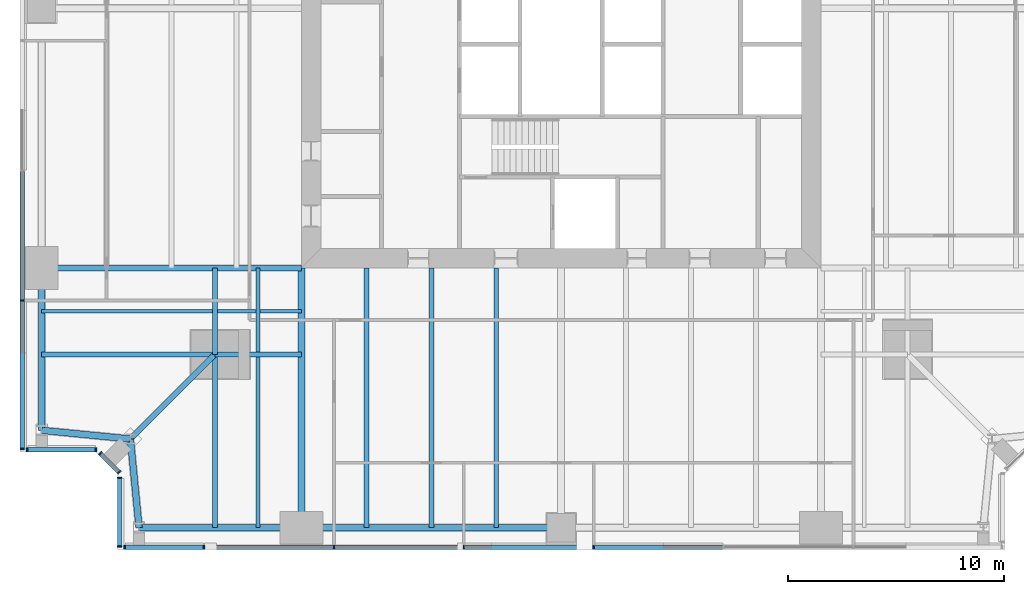
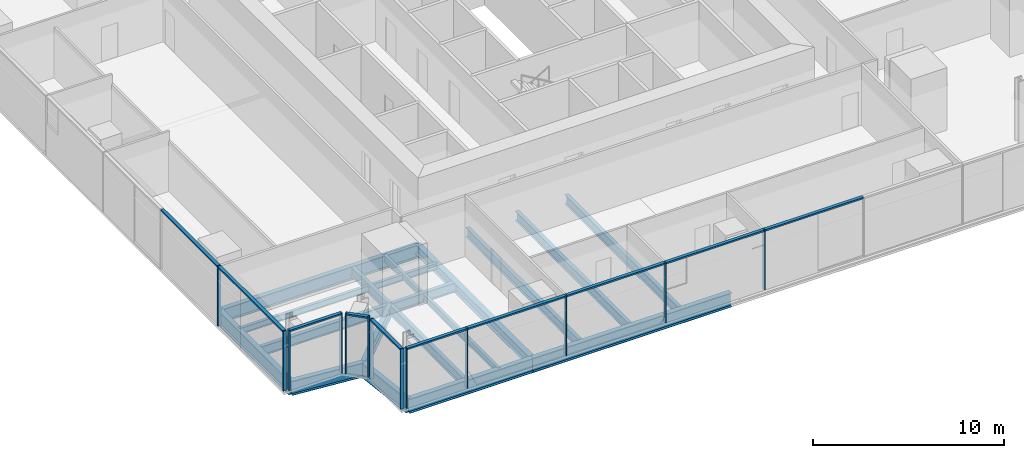
# One storey, part 2 of 13: 23 members, 20 beams, 5 elements without a shape of their own.
"""IFC4 building model written with IfcOpenShell, lengths in metres."""

from ifc_helpers import new_model, si_unit, direction, frame, origin, origin_2d, place, context, subcontext, project, spatial, rectangle, i_section, extrude, material, material_profile, profile_set, type_object, element, aggregate, save


model = new_model("IFC4")

# Units and contexts
model_context = context("Model", 3, precision=1e-05, world=origin(), true_north=direction((0.0, 1.0)))
body_context = subcontext(model_context, "Body", "Model", "MODEL_VIEW")
ifc_project = project(units=[si_unit("LENGTHUNIT", "METRE"), si_unit("AREAUNIT", "SQUARE_METRE"), si_unit("VOLUMEUNIT", "CUBIC_METRE"), si_unit("PLANEANGLEUNIT", "RADIAN"), si_unit("MASSUNIT", "GRAM", prefix="KILO")], contexts=[model_context])

# Site, building, storey
site_placement = place(None, origin())
site = spatial("IfcSite", under=ifc_project, at=site_placement, CompositionType="ELEMENT")
building_placement = place(site_placement, origin())
building = spatial("IfcBuilding", under=site, at=building_placement, Name="Fenwick Lantern Interchange", CompositionType="ELEMENT")
storey_placement = place(building_placement, frame((0.0, 0.0, 142.39990234375)))
storey = spatial("IfcBuildingStorey", under=building, at=storey_placement, Name="L33", CompositionType="ELEMENT", Elevation=142.39990234375)

# Beams
ifc_material_1 = material(Name="Steel ASTM A992 Grade 50", Category="steel")
ifc_material_profile_1 = material_profile(ifc_material_1, i_section(OverallWidth=0.3046875, OverallDepth=0.911865234375, WebThickness=0.015869140625, FlangeThickness=0.02392578125, at=origin_2d()), Name="W36X150")
ifc_profile_set_1 = profile_set([ifc_material_profile_1], Name="Steel ASTM A992 Grade 50")
beam_type_1 = type_object("IfcBeamType", Name="EDGE BEAM W36X150", PredefinedType="SPANDREL", material=ifc_profile_set_1)
beam_1_placement = place(storey_placement, frame((5.5, 1.0, -0.605712890625), z_axis=(1.0, 0.0, 0.0), x_axis=(0.0, 1.0, 0.0)))
element("IfcBeam", 1, at=beam_1_placement, inside=storey, type_object=beam_type_1, Name="L33/FR/S/EB1", PredefinedType="SPANDREL", context=body_context, shape_type="SweptSolid", body=[
    extrude(i_section(OverallWidth=0.3046875, OverallDepth=0.911865234375, WebThickness=0.015869140625, FlangeThickness=0.02392578125, at=origin_2d()), origin(), (0.0, 0.0, 1.0), 7.5),
])
beam_2_placement = place(storey_placement, frame((13.0, 1.0, -0.605712890625), z_axis=(1.0, 0.0, 0.0), x_axis=(0.0, 1.0, 0.0)))
element("IfcBeam", 2, at=beam_2_placement, inside=storey, type_object=beam_type_1, Name="L33/FR/S/EB2", PredefinedType="SPANDREL", context=body_context, shape_type="SweptSolid", body=[
    extrude(i_section(OverallWidth=0.3046875, OverallDepth=0.911865234375, WebThickness=0.015869140625, FlangeThickness=0.02392578125, at=origin_2d()), origin(), (0.0, 0.0, 1.0), 12.0),
])
beam_3_placement = place(storey_placement, frame((1.0, 13.0, -0.605712890625), z_axis=(0.0, -1.0, 0.0), x_axis=(1.0, 0.0, 0.0)))
element("IfcBeam", 3, at=beam_3_placement, inside=storey, type_object=beam_type_1, Name="L33/FR/W/EB4", PredefinedType="SPANDREL", context=body_context, shape_type="SweptSolid", body=[
    extrude(i_section(OverallWidth=0.3046875, OverallDepth=0.911865234375, WebThickness=0.015869140625, FlangeThickness=0.02392578125, at=origin_2d()), origin(), (0.0, 0.0, 1.0), 7.5),
])
for number, where, z_axis, x_axis, name in (
    (4, (1.0, 5.5, -0.605712890625), (0.995277148028, -0.097074191287, 0.0), (0.097074191287, 0.995277148028, 0.0), "L33/FR/W/EBR1"),
    (5, (5.10009765625, 5.10009765625, -0.605712890625), (0.097074191287, -0.995277148028, 0.0), (0.995277148028, 0.097074191287, 0.0), "L33/FR/W/EBR2"),
):
    element("IfcBeam", number, at=place(storey_placement, frame(where, z_axis=z_axis, x_axis=x_axis)), inside=storey, type_object=beam_type_1, Name=name, PredefinedType="SPANDREL", context=body_context, shape_type="SweptSolid", body=[
        extrude(i_section(OverallWidth=0.3046875, OverallDepth=0.911865234375, WebThickness=0.015869140625, FlangeThickness=0.02392578125, at=origin_2d()), origin(), (0.0, 0.0, 1.0), 4.11962890625),
    ])
ifc_material_profile_2 = material_profile(ifc_material_1, i_section(OverallWidth=0.22900390625, OverallDepth=0.612060546875, WebThickness=0.011962890625, FlangeThickness=0.01953125, at=origin_2d()), Name="W24X84")
ifc_profile_set_2 = profile_set([ifc_material_profile_2], Name="Steel ASTM A992 Grade 50")
beam_type_2 = type_object("IfcBeamType", Name="FLOOR BEAM W24X84", PredefinedType="BEAM", material=ifc_profile_set_2)
for number, where, z_axis, x_axis, name in (
    (6, (16.0, 1.0, -0.4560546875), (0.0, 1.0, 0.0), (-1.0, 0.0, 0.0), "L33/FR/S/R02"),
    (7, (19.0, 1.0, -0.4560546875), (0.0, 1.0, 0.0), (-1.0, 0.0, 0.0), "L33/FR/S/R03"),
    (8, (22.0, 1.0, -0.4560546875), (0.0, 1.0, 0.0), (-1.0, 0.0, 0.0), "L33/FR/S/R04"),
):
    element("IfcBeam", number, at=place(storey_placement, frame(where, z_axis=z_axis, x_axis=x_axis)), inside=storey, type_object=beam_type_2, Name=name, PredefinedType="BEAM", context=body_context, shape_type="SweptSolid", body=[
        extrude(i_section(OverallWidth=0.22900390625, OverallDepth=0.612060546875, WebThickness=0.011962890625, FlangeThickness=0.01953125, at=origin_2d()), origin(), (0.0, 0.0, 1.0), 12.0),
    ])
ifc_material_profile_3 = material_profile(ifc_material_1, i_section(OverallWidth=0.177734375, OverallDepth=0.406494140625, WebThickness=0.0078125, FlangeThickness=0.012939453125, at=origin_2d()), Name="W16X40")
ifc_profile_set_3 = profile_set([ifc_material_profile_3], Name="Steel ASTM A992 Grade 50")
beam_type_3 = type_object("IfcBeamType", Name="INFILL BEAM W16X40", PredefinedType="JOIST", material=ifc_profile_set_3)
beam_4_placement = place(storey_placement, frame((11.0, 1.0, -0.35302734375), z_axis=(0.0, 1.0, 0.0), x_axis=(-1.0, 0.0, 0.0)))
element("IfcBeam", 9, at=beam_4_placement, inside=storey, type_object=beam_type_3, Name="L33/FR/S/J1", PredefinedType="JOIST", context=body_context, shape_type="SweptSolid", body=[
    extrude(i_section(OverallWidth=0.177734375, OverallDepth=0.406494140625, WebThickness=0.0078125, FlangeThickness=0.012939453125, at=origin_2d()), origin(), (0.0, 0.0, 1.0), 7.885498046875),
])
beam_5_placement = place(storey_placement, frame((11.0, 9.114501953125, -0.35302734375), z_axis=(0.0, 1.0, 0.0), x_axis=(-1.0, 0.0, 0.0)))
element("IfcBeam", 10, at=beam_5_placement, inside=storey, type_object=beam_type_3, Name="L33/FR/S/J2", PredefinedType="JOIST", context=body_context, shape_type="SweptSolid", body=[
    extrude(i_section(OverallWidth=0.177734375, OverallDepth=0.406494140625, WebThickness=0.0078125, FlangeThickness=0.012939453125, at=origin_2d()), origin(), (0.0, 0.0, 1.0), 3.885498046875),
])
beam_6_placement = place(storey_placement, frame((1.0, 11.0, -0.35302734375), z_axis=(1.0, 0.0, 0.0), x_axis=(0.0, 1.0, 0.0)))
element("IfcBeam", 11, at=beam_6_placement, inside=storey, type_object=beam_type_3, Name="L33/FR/S/J3", PredefinedType="JOIST", context=body_context, shape_type="SweptSolid", body=[
    extrude(i_section(OverallWidth=0.177734375, OverallDepth=0.406494140625, WebThickness=0.0078125, FlangeThickness=0.012939453125, at=origin_2d()), origin(), (0.0, 0.0, 1.0), 7.885498046875),
])
beam_7_placement = place(storey_placement, frame((9.114501953125, 11.0, -0.35302734375), z_axis=(1.0, 0.0, 0.0), x_axis=(0.0, 1.0, 0.0)))
element("IfcBeam", 12, at=beam_7_placement, inside=storey, type_object=beam_type_3, Name="L33/FR/S/J4", PredefinedType="JOIST", context=body_context, shape_type="SweptSolid", body=[
    extrude(i_section(OverallWidth=0.177734375, OverallDepth=0.406494140625, WebThickness=0.0078125, FlangeThickness=0.012939453125, at=origin_2d()), origin(), (0.0, 0.0, 1.0), 1.796630859375),
])
beam_8_placement = place(storey_placement, frame((11.0888671875, 11.0, -0.35302734375), z_axis=(1.0, 0.0, 0.0), x_axis=(0.0, 1.0, 0.0)))
element("IfcBeam", 13, at=beam_8_placement, inside=storey, type_object=beam_type_3, Name="L33/FR/S/J5", PredefinedType="JOIST", context=body_context, shape_type="SweptSolid", body=[
    extrude(i_section(OverallWidth=0.177734375, OverallDepth=0.406494140625, WebThickness=0.0078125, FlangeThickness=0.012939453125, at=origin_2d()), origin(), (0.0, 0.0, 1.0), 1.9111328125),
])
ifc_material_profile_4 = material_profile(ifc_material_1, i_section(OverallWidth=0.22900390625, OverallDepth=0.612060546875, WebThickness=0.011962890625, FlangeThickness=0.01953125, at=origin_2d()), Name="W24X84")
ifc_profile_set_4 = profile_set([ifc_material_profile_4], Name="Steel ASTM A992 Grade 50")
beam_type_4 = type_object("IfcBeamType", Name="MEGA COLUMN BEAM W24X84", PredefinedType="BEAM", material=ifc_profile_set_4)
for number, where, z_axis, x_axis, name in (
    (14, (9.0, 9.0, -0.4560546875), (0.0, -1.0, 0.0), (1.0, 0.0, 0.0), "L33/FR/S/MB1"),
    (15, (9.0, 9.0, -0.4560546875), (-1.0, 0.0, 0.0), (0.0, -1.0, 0.0), "L33/FR/S/MB2"),
):
    element("IfcBeam", number, at=place(storey_placement, frame(where, z_axis=z_axis, x_axis=x_axis)), inside=storey, type_object=beam_type_4, Name=name, PredefinedType="BEAM", context=body_context, shape_type="SweptSolid", body=[
        extrude(i_section(OverallWidth=0.22900390625, OverallDepth=0.612060546875, WebThickness=0.011962890625, FlangeThickness=0.01953125, at=origin_2d()), origin(), (0.0, 0.0, 1.0), 8.0),
    ])
for number, where, z_axis, x_axis, name in (
    (16, (9.0, 9.0, -0.4560546875), (1.0, 0.0, 0.0), (0.0, 1.0, 0.0), "L33/FR/S/MB3"),
    (17, (9.0, 9.0, -0.4560546875), (0.0, 1.0, 0.0), (-1.0, 0.0, 0.0), "L33/FR/S/MB4"),
):
    element("IfcBeam", number, at=place(storey_placement, frame(where, z_axis=z_axis, x_axis=x_axis)), inside=storey, type_object=beam_type_4, Name=name, PredefinedType="BEAM", context=body_context, shape_type="SweptSolid", body=[
        extrude(i_section(OverallWidth=0.22900390625, OverallDepth=0.612060546875, WebThickness=0.011962890625, FlangeThickness=0.01953125, at=origin_2d()), origin(), (0.0, 0.0, 1.0), 4.0),
    ])
ifc_material_profile_5 = material_profile(ifc_material_1, i_section(OverallWidth=0.32763671875, OverallDepth=0.622314453125, WebThickness=0.015380859375, FlangeThickness=0.0244140625, at=origin_2d()), Name="W24X131")
ifc_profile_set_5 = profile_set([ifc_material_profile_5], Name="Steel ASTM A992 Grade 50")
beam_type_5 = type_object("IfcBeamType", Name="MOMENT-CONNECTED GIRDER W24X131", PredefinedType="BEAM", material=ifc_profile_set_5)
beam_9_placement = place(storey_placement, frame((13.0, 1.0, -0.4609375), z_axis=(0.0, 1.0, 0.0), x_axis=(-1.0, 0.0, 0.0)))
element("IfcBeam", 18, at=beam_9_placement, inside=storey, type_object=beam_type_5, Name="L33/FR/S/R01", PredefinedType="BEAM", context=body_context, shape_type="SweptSolid", body=[
    extrude(i_section(OverallWidth=0.32763671875, OverallDepth=0.622314453125, WebThickness=0.015380859375, FlangeThickness=0.0244140625, at=origin_2d()), origin(), (0.0, 0.0, 1.0), 12.0),
])
ifc_material_profile_6 = material_profile(ifc_material_1, i_section(OverallWidth=0.2919921875, OverallDepth=0.845703125, WebThickness=0.015380859375, FlangeThickness=0.0244140625, at=origin_2d()), Name="W33X141")
ifc_profile_set_6 = profile_set([ifc_material_profile_6], Name="Steel ASTM A992 Grade 50")
beam_type_6 = type_object("IfcBeamType", Name="MOMENT-CONNECTED GIRDER W33X141", PredefinedType="BEAM", material=ifc_profile_set_6)
beam_10_placement = place(storey_placement, frame((1.0, 13.0, -0.57275390625), z_axis=(1.0, 0.0, 0.0), x_axis=(0.0, 1.0, 0.0)))
element("IfcBeam", 19, at=beam_10_placement, inside=storey, type_object=beam_type_6, Name="L33/FR/W/R03", PredefinedType="BEAM", context=body_context, shape_type="SweptSolid", body=[
    extrude(i_section(OverallWidth=0.2919921875, OverallDepth=0.845703125, WebThickness=0.015380859375, FlangeThickness=0.0244140625, at=origin_2d()), origin(), (0.0, 0.0, 1.0), 12.0),
])
ifc_material_profile_7 = material_profile(ifc_material_1, i_section(OverallWidth=0.2666015625, OverallDepth=0.7568359375, WebThickness=0.013916015625, FlangeThickness=0.019287109375, at=origin_2d()), Name="W30X108")
ifc_profile_set_7 = profile_set([ifc_material_profile_7], Name="Steel ASTM A992 Grade 50")
beam_type_7 = type_object("IfcBeamType", Name="NOTCH BEAM W30X108", PredefinedType="BEAM", material=ifc_profile_set_7)
beam_11_placement = place(storey_placement, frame((9.0, 9.0, -0.5283203125), z_axis=(-0.707106781187, -0.707106781187, 0.0), x_axis=(0.707106781187, -0.707106781187, 0.0)))
element("IfcBeam", 20, at=beam_11_placement, inside=storey, type_object=beam_type_7, Name="L33/FR/S/TG", PredefinedType="BEAM", context=body_context, shape_type="SweptSolid", body=[
    extrude(i_section(OverallWidth=0.2666015625, OverallDepth=0.7568359375, WebThickness=0.013916015625, FlangeThickness=0.019287109375, at=origin_2d()), origin(), (0.0, 0.0, 1.0), 5.515380859375),
])

# Curtain wall, members
ifc_material_2 = material(Name="Aluminium curtain wall frame", Category="aluminium")
curtain_wall_type = type_object("IfcCurtainWallType", Name="OFFICE CURTAIN WALL", PredefinedType="USERDEFINED", material=ifc_material_2)
curtain_wall_1_placement = place(storey_placement, origin())
curtain_wall_1 = element("IfcCurtainWall", 21, at=curtain_wall_1_placement, inside=storey, type_object=curtain_wall_type, Name="Office curtain wall 01", ObjectType="OFFICE CURTAIN WALL", PredefinedType="USERDEFINED")
ifc_material_3 = material(Name="Aluminium extrusion", Category="aluminium")
ifc_material_profile_8 = material_profile(ifc_material_3, rectangle(XDim=0.199951171875, YDim=0.06494140625, at=origin_2d()), Name="OFFICE CURTAIN WALL MULLION 65 X 200")
ifc_profile_set_8 = profile_set([ifc_material_profile_8], Name="Aluminium extrusion")
member_type_1 = type_object("IfcMemberType", Name="OFFICE CURTAIN WALL MULLION 65 X 200", PredefinedType="MULLION", material=ifc_profile_set_8)
member_1_placement = place(storey_placement, frame((4.83251953125, 0.10009765625, 0.0), z_axis=(0.0, 0.0, 1.0), x_axis=(0.0, 1.0, 0.0)))
member_1 = element("IfcMember", 22, at=member_1_placement, type_object=member_type_1, Name="L33/CW/01/M00", PredefinedType="MULLION", context=body_context, shape_type="SweptSolid", body=[
    extrude(rectangle(XDim=0.199951171875, YDim=0.06494140625, at=origin_2d()), origin(), (0.0, 0.0, 1.0), 3.85009765625),
])
member_2_placement = place(storey_placement, frame((8.5, 0.10009765625, 0.0), z_axis=(0.0, 0.0, 1.0), x_axis=(0.0, 1.0, 0.0)))
member_2 = element("IfcMember", 23, at=member_2_placement, type_object=member_type_1, Name="L33/CW/01/M01", PredefinedType="MULLION", context=body_context, shape_type="SweptSolid", body=[
    extrude(rectangle(XDim=0.199951171875, YDim=0.06494140625, at=origin_2d()), origin(), (0.0, 0.0, 1.0), 3.85009765625),
])
member_3_placement = place(storey_placement, frame((14.5, 0.10009765625, 0.0), z_axis=(0.0, 0.0, 1.0), x_axis=(0.0, 1.0, 0.0)))
member_3 = element("IfcMember", 24, at=member_3_placement, type_object=member_type_1, Name="L33/CW/01/M02", PredefinedType="MULLION", context=body_context, shape_type="SweptSolid", body=[
    extrude(rectangle(XDim=0.199951171875, YDim=0.06494140625, at=origin_2d()), origin(), (0.0, 0.0, 1.0), 3.85009765625),
])
member_4_placement = place(storey_placement, frame((20.5, 0.10009765625, 0.0), z_axis=(0.0, 0.0, 1.0), x_axis=(0.0, 1.0, 0.0)))
member_4 = element("IfcMember", 25, at=member_4_placement, type_object=member_type_1, Name="L33/CW/01/M03", PredefinedType="MULLION", context=body_context, shape_type="SweptSolid", body=[
    extrude(rectangle(XDim=0.199951171875, YDim=0.06494140625, at=origin_2d()), origin(), (0.0, 0.0, 1.0), 3.85009765625),
])
member_5_placement = place(storey_placement, frame((26.5, 0.10009765625, 0.0), z_axis=(0.0, 0.0, 1.0), x_axis=(0.0, 1.0, 0.0)))
member_5 = element("IfcMember", 26, at=member_5_placement, type_object=member_type_1, Name="L33/CW/01/M04", PredefinedType="MULLION", context=body_context, shape_type="SweptSolid", body=[
    extrude(rectangle(XDim=0.199951171875, YDim=0.06494140625, at=origin_2d()), origin(), (0.0, 0.0, 1.0), 3.85009765625),
])

curtain_wall_2_placement = place(storey_placement, origin())
curtain_wall_2 = element("IfcCurtainWall", 27, at=curtain_wall_2_placement, inside=storey, type_object=curtain_wall_type, Name="Office curtain wall 13", ObjectType="OFFICE CURTAIN WALL", PredefinedType="USERDEFINED")
member_6_placement = place(storey_placement, frame((0.10009765625, 11.5, 0.0), z_axis=(0.0, 0.0, 1.0), x_axis=(1.0, 0.0, 0.0)))
member_6 = element("IfcMember", 28, at=member_6_placement, type_object=member_type_1, Name="L33/CW/13/M06", PredefinedType="MULLION", context=body_context, shape_type="SweptSolid", body=[
    extrude(rectangle(XDim=0.199951171875, YDim=0.06494140625, at=origin_2d()), origin(), (0.0, 0.0, 1.0), 3.85009765625),
])
member_7_placement = place(storey_placement, frame((0.10009765625, 4.632568359375, 0.0), z_axis=(0.0, 0.0, 1.0), x_axis=(1.0, 0.0, 0.0)))
member_7 = element("IfcMember", 29, at=member_7_placement, type_object=member_type_1, Name="L33/CW/13/M07", PredefinedType="MULLION", context=body_context, shape_type="SweptSolid", body=[
    extrude(rectangle(XDim=0.199951171875, YDim=0.06494140625, at=origin_2d()), origin(), (0.0, 0.0, 1.0), 3.85009765625),
])

curtain_wall_3_placement = place(storey_placement, origin())
curtain_wall_3 = element("IfcCurtainWall", 30, at=curtain_wall_3_placement, inside=storey, type_object=curtain_wall_type, Name="Office curtain wall 14", ObjectType="OFFICE CURTAIN WALL", PredefinedType="USERDEFINED")
member_8_placement = place(storey_placement, frame((0.33251953125, 4.60009765625, 0.0), z_axis=(0.0, 0.0, 1.0), x_axis=(0.0, 1.0, 0.0)))
member_8 = element("IfcMember", 31, at=member_8_placement, type_object=member_type_1, Name="L33/CW/14/M00", PredefinedType="MULLION", context=body_context, shape_type="SweptSolid", body=[
    extrude(rectangle(XDim=0.199951171875, YDim=0.06494140625, at=origin_2d()), origin(), (0.0, 0.0, 1.0), 3.85009765625),
])
member_9_placement = place(storey_placement, frame((3.509033203125, 4.60009765625, 0.0), z_axis=(0.0, 0.0, 1.0), x_axis=(0.0, 1.0, 0.0)))
member_9 = element("IfcMember", 32, at=member_9_placement, type_object=member_type_1, Name="L33/CW/14/M01", PredefinedType="MULLION", context=body_context, shape_type="SweptSolid", body=[
    extrude(rectangle(XDim=0.199951171875, YDim=0.06494140625, at=origin_2d()), origin(), (0.0, 0.0, 1.0), 3.85009765625),
])

curtain_wall_4_placement = place(storey_placement, origin())
curtain_wall_4 = element("IfcCurtainWall", 33, at=curtain_wall_4_placement, inside=storey, type_object=curtain_wall_type, Name="Office curtain wall 15", ObjectType="OFFICE CURTAIN WALL", PredefinedType="USERDEFINED")
member_10_placement = place(storey_placement, frame((3.705810546875, 4.435546875, 0.0), z_axis=(0.0, 0.0, 1.0), x_axis=(0.707106781187, 0.707106781187, 0.0)))
member_10 = element("IfcMember", 34, at=member_10_placement, type_object=member_type_1, Name="L33/CW/15/M00", PredefinedType="MULLION", context=body_context, shape_type="SweptSolid", body=[
    extrude(rectangle(XDim=0.199951171875, YDim=0.06494140625, at=origin_2d()), origin(), (0.0, 0.0, 1.0), 3.85009765625),
])
member_11_placement = place(storey_placement, frame((4.576904296875, 3.564453125, 0.0), z_axis=(0.0, 0.0, 1.0), x_axis=(0.707106781187, 0.707106781187, 0.0)))
member_11 = element("IfcMember", 35, at=member_11_placement, type_object=member_type_1, Name="L33/CW/15/M01", PredefinedType="MULLION", context=body_context, shape_type="SweptSolid", body=[
    extrude(rectangle(XDim=0.199951171875, YDim=0.06494140625, at=origin_2d()), origin(), (0.0, 0.0, 1.0), 3.85009765625),
])

curtain_wall_5_placement = place(storey_placement, origin())
curtain_wall_5 = element("IfcCurtainWall", 36, at=curtain_wall_5_placement, inside=storey, type_object=curtain_wall_type, Name="Office curtain wall 16", ObjectType="OFFICE CURTAIN WALL", PredefinedType="USERDEFINED")
member_12_placement = place(storey_placement, frame((4.60009765625, 3.308837890625, 0.0), z_axis=(0.0, 0.0, 1.0), x_axis=(1.0, 0.0, 0.0)))
member_12 = element("IfcMember", 37, at=member_12_placement, type_object=member_type_1, Name="L33/CW/16/M00", PredefinedType="MULLION", context=body_context, shape_type="SweptSolid", body=[
    extrude(rectangle(XDim=0.199951171875, YDim=0.06494140625, at=origin_2d()), origin(), (0.0, 0.0, 1.0), 3.85009765625),
])
member_13_placement = place(storey_placement, frame((4.60009765625, 0.132568359375, 0.0), z_axis=(0.0, 0.0, 1.0), x_axis=(1.0, 0.0, 0.0)))
member_13 = element("IfcMember", 38, at=member_13_placement, type_object=member_type_1, Name="L33/CW/16/M01", PredefinedType="MULLION", context=body_context, shape_type="SweptSolid", body=[
    extrude(rectangle(XDim=0.199951171875, YDim=0.06494140625, at=origin_2d()), origin(), (0.0, 0.0, 1.0), 3.85009765625),
])

# Member
ifc_material_profile_9 = material_profile(ifc_material_3, rectangle(XDim=0.199951171875, YDim=0.10009765625, at=origin_2d()), Name="OFFICE CURTAIN WALL TRANSOM 100 X 200")
ifc_profile_set_9 = profile_set([ifc_material_profile_9], Name="Aluminium extrusion")
member_type_2 = type_object("IfcMemberType", Name="OFFICE CURTAIN WALL TRANSOM 100 X 200", PredefinedType="MULLION", material=ifc_profile_set_9)
member_14_placement = place(storey_placement, frame((4.864990234375, 0.10009765625, 3.800048828125), z_axis=(1.0, 0.0, 0.0), x_axis=(0.0, 1.0, 0.0)))
member_14 = element("IfcMember", 39, at=member_14_placement, type_object=member_type_2, Name="L33/CW/01/T00", PredefinedType="MULLION", context=body_context, shape_type="SweptSolid", body=[
    extrude(rectangle(XDim=0.199951171875, YDim=0.10009765625, at=origin_2d()), origin(), (0.0, 0.0, 1.0), 3.6025390625),
])

member_15_placement = place(storey_placement, frame((8.532470703125, 0.10009765625, 3.800048828125), z_axis=(1.0, 0.0, 0.0), x_axis=(0.0, 1.0, 0.0)))
member_15 = element("IfcMember", 40, at=member_15_placement, type_object=member_type_2, Name="L33/CW/01/T01", PredefinedType="MULLION", context=body_context, shape_type="SweptSolid", body=[
    extrude(rectangle(XDim=0.199951171875, YDim=0.10009765625, at=origin_2d()), origin(), (0.0, 0.0, 1.0), 5.93505859375),
])

member_16_placement = place(storey_placement, frame((14.532470703125, 0.10009765625, 3.800048828125), z_axis=(1.0, 0.0, 0.0), x_axis=(0.0, 1.0, 0.0)))
member_16 = element("IfcMember", 41, at=member_16_placement, type_object=member_type_2, Name="L33/CW/01/T02", PredefinedType="MULLION", context=body_context, shape_type="SweptSolid", body=[
    extrude(rectangle(XDim=0.199951171875, YDim=0.10009765625, at=origin_2d()), origin(), (0.0, 0.0, 1.0), 5.93505859375),
])

member_17_placement = place(storey_placement, frame((20.532470703125, 0.10009765625, 3.800048828125), z_axis=(1.0, 0.0, 0.0), x_axis=(0.0, 1.0, 0.0)))
member_17 = element("IfcMember", 42, at=member_17_placement, type_object=member_type_2, Name="L33/CW/01/T03", PredefinedType="MULLION", context=body_context, shape_type="SweptSolid", body=[
    extrude(rectangle(XDim=0.199951171875, YDim=0.10009765625, at=origin_2d()), origin(), (0.0, 0.0, 1.0), 5.93505859375),
])

member_18_placement = place(storey_placement, frame((26.532470703125, 0.10009765625, 3.800048828125), z_axis=(1.0, 0.0, 0.0), x_axis=(0.0, 1.0, 0.0)))
member_18 = element("IfcMember", 43, at=member_18_placement, type_object=member_type_2, Name="L33/CW/01/T04", PredefinedType="MULLION", context=body_context, shape_type="SweptSolid", body=[
    extrude(rectangle(XDim=0.199951171875, YDim=0.10009765625, at=origin_2d()), origin(), (0.0, 0.0, 1.0), 5.93505859375),
])

aggregate(curtain_wall_1, [member_1, member_2, member_3, member_4, member_5, member_14, member_15, member_16, member_17, member_18])

member_19_placement = place(storey_placement, frame((0.10009765625, 17.467529296875, 3.800048828125), z_axis=(0.0, -1.0, 0.0), x_axis=(1.0, 0.0, 0.0)))
member_19 = element("IfcMember", 44, at=member_19_placement, type_object=member_type_2, Name="L33/CW/13/T05", PredefinedType="MULLION", context=body_context, shape_type="SweptSolid", body=[
    extrude(rectangle(XDim=0.199951171875, YDim=0.10009765625, at=origin_2d()), origin(), (0.0, 0.0, 1.0), 5.93505859375),
])

member_20_placement = place(storey_placement, frame((0.10009765625, 11.467529296875, 3.800048828125), z_axis=(0.0, -1.0, 0.0), x_axis=(1.0, 0.0, 0.0)))
member_20 = element("IfcMember", 45, at=member_20_placement, type_object=member_type_2, Name="L33/CW/13/T06", PredefinedType="MULLION", context=body_context, shape_type="SweptSolid", body=[
    extrude(rectangle(XDim=0.199951171875, YDim=0.10009765625, at=origin_2d()), origin(), (0.0, 0.0, 1.0), 6.802490234375),
])

aggregate(curtain_wall_2, [member_6, member_7, member_19, member_20])

member_21_placement = place(storey_placement, frame((0.364990234375, 4.60009765625, 3.800048828125), z_axis=(1.0, 0.0, 0.0), x_axis=(0.0, 1.0, 0.0)))
member_21 = element("IfcMember", 46, at=member_21_placement, type_object=member_type_2, Name="L33/CW/14/T00", PredefinedType="MULLION", context=body_context, shape_type="SweptSolid", body=[
    extrude(rectangle(XDim=0.199951171875, YDim=0.10009765625, at=origin_2d()), origin(), (0.0, 0.0, 1.0), 3.111328125),
])

aggregate(curtain_wall_3, [member_8, member_9, member_21])

member_22_placement = place(storey_placement, frame((3.728759765625, 4.41259765625, 3.800048828125), z_axis=(0.707106781187, -0.707106781187, 0.0), x_axis=(0.707106781187, 0.707106781187, 0.0)))
member_22 = element("IfcMember", 47, at=member_22_placement, type_object=member_type_2, Name="L33/CW/15/T00", PredefinedType="MULLION", context=body_context, shape_type="SweptSolid", body=[
    extrude(rectangle(XDim=0.199951171875, YDim=0.10009765625, at=origin_2d()), origin(), (0.0, 0.0, 1.0), 1.1669921875),
])

aggregate(curtain_wall_4, [member_10, member_11, member_22])

member_23_placement = place(storey_placement, frame((4.60009765625, 3.2763671875, 3.800048828125), z_axis=(0.0, -1.0, 0.0), x_axis=(1.0, 0.0, 0.0)))
member_23 = element("IfcMember", 48, at=member_23_placement, type_object=member_type_2, Name="L33/CW/16/T00", PredefinedType="MULLION", context=body_context, shape_type="SweptSolid", body=[
    extrude(rectangle(XDim=0.199951171875, YDim=0.10009765625, at=origin_2d()), origin(), (0.0, 0.0, 1.0), 3.111328125),
])

aggregate(curtain_wall_5, [member_12, member_13, member_23])

save(model, "model.ifc")
